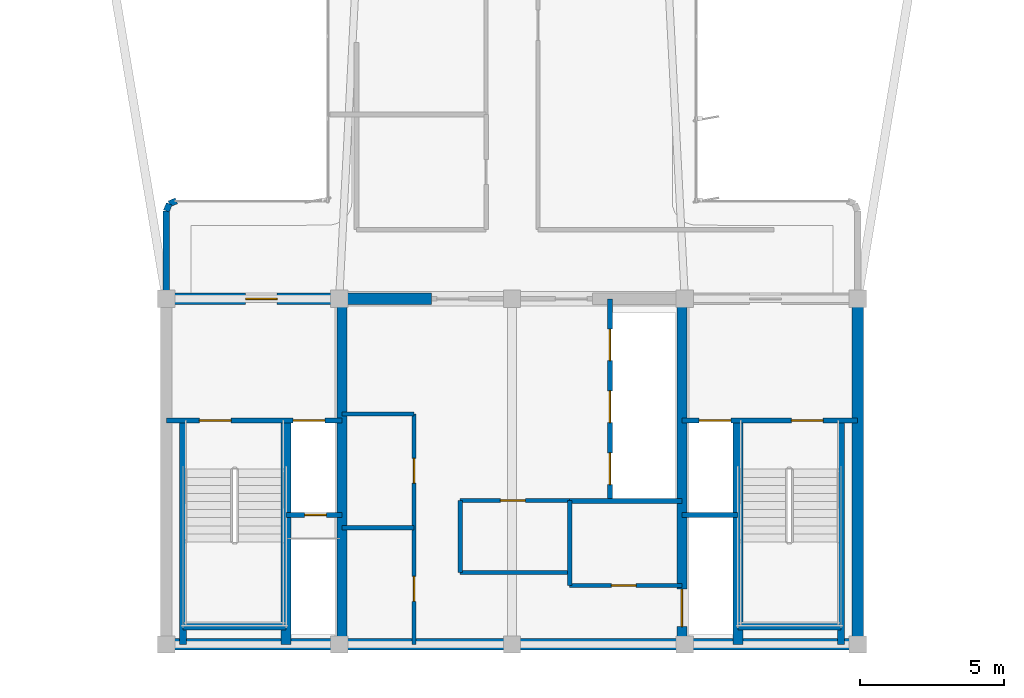
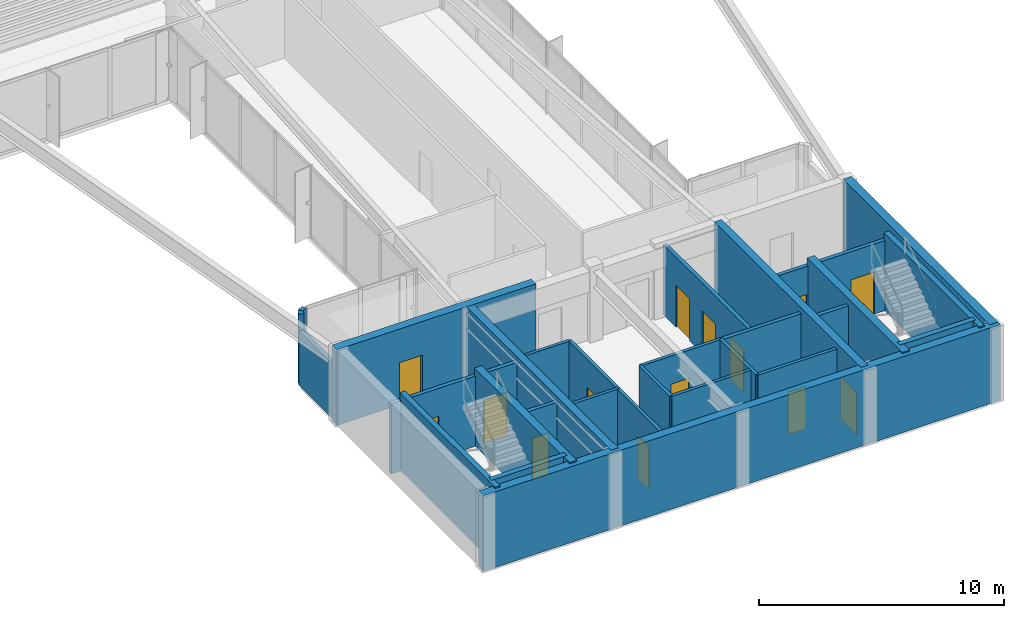
# One storey, part 10 of 15: 28 walls, 14 doors, 14 openings.
"""IFC4 building model written with IfcOpenShell, lengths in metres."""

import ifcopenshell
import ifcopenshell.guid

model = None  # the IFC model being written
_history = None  # IfcOwnerHistory: only IFC2X3 demands one
_inside = {}  # id of a spatial element -> (the spatial element, [elements in it])
_under = {}  # id of a project, library or spatial element -> (it, [spatial elements below it])
_declared = {}  # id of a project -> (the project, [libraries it declares])
_typed = {}  # id of a type object -> (the type object, [elements of that type])
_made_of = {}  # id of a material, layer set ... -> (it, [elements and type objects made of it])


def new_model(schema):
    """Start an empty IFC model of exactly this schema.

    Asked for "IFC4X3", IfcOpenShell would pick the latest addendum, in which some entities
    have other attributes; the version numbers below select the first issue.
    IFC2X3 requires an IfcOwnerHistory on every rooted entity: one is made here for all.
    """
    global model, _history
    if schema == "IFC4X3":
        model = ifcopenshell.file(schema_version=(4, 3, 0, 0))
    else:
        model = ifcopenshell.file(schema=schema)
    _inside.clear()
    _under.clear()
    _declared.clear()
    _typed.clear()
    _made_of.clear()
    _history = None
    if model.schema == "IFC2X3":
        org = make("IfcOrganization", Name="unknown")
        user = make(
            "IfcPersonAndOrganization",
            ThePerson=make("IfcPerson", FamilyName="unknown"),
            TheOrganization=org,
        )
        app = make(
            "IfcApplication",
            ApplicationDeveloper=org,
            Version="unknown",
            ApplicationFullName="unknown",
            ApplicationIdentifier="unknown",
        )
        _history = make(
            "IfcOwnerHistory",
            OwningUser=user,
            OwningApplication=app,
            ChangeAction="ADDED",
            CreationDate=0,
        )
    return model


def make(cls, **values):
    """One entity of the class cls with the attributes given. An attribute that is None is left unset."""
    return model.create_entity(
        cls, **{name: value for name, value in values.items() if value is not None}
    )


def rooted(cls, **values):
    """An entity with a GlobalId (a new one), such as an element, a storey or a relation."""
    return make(cls, GlobalId=ifcopenshell.guid.new(), OwnerHistory=_history, **values)


def si_unit(unit_type, name, prefix=None):
    """IfcSIUnit, for example si_unit("LENGTHUNIT", "METRE", prefix="MILLI")."""
    return make("IfcSIUnit", UnitType=unit_type, Prefix=prefix, Name=name)


def assignment(units):
    """IfcUnitAssignment: the units of a project."""
    return None if units is None else make("IfcUnitAssignment", Units=units)


def point(xyz):
    """IfcCartesianPoint."""
    return None if xyz is None else make("IfcCartesianPoint", Coordinates=xyz)


def direction(xyz):
    """IfcDirection."""
    return None if xyz is None else make("IfcDirection", DirectionRatios=xyz)


def frame(location, z_axis=None, x_axis=None):
    """IfcAxis2Placement3D, a coordinate frame: its origin and axes. An axis left out is left unset."""
    return make(
        "IfcAxis2Placement3D",
        Location=point(location),
        Axis=direction(z_axis),
        RefDirection=direction(x_axis),
    )


def frame_2d(location, x_axis=None):
    """IfcAxis2Placement2D, a coordinate frame in the plane: its origin and x axis."""
    return make(
        "IfcAxis2Placement2D", Location=point(location), RefDirection=direction(x_axis)
    )


def origin():
    """The frame at (0, 0, 0) with its axes left unset."""
    return frame((0.0, 0.0, 0.0))


def origin_2d():
    """The frame at (0, 0) in the plane with its x axis left unset."""
    return frame_2d((0.0, 0.0))


def place(relative_to, where):
    """IfcLocalPlacement: puts the frame where relative to a parent placement (None: the world)."""
    return make(
        "IfcLocalPlacement", PlacementRelTo=relative_to, RelativePlacement=where
    )


def context(
    kind, dimensions, precision=None, world=None, true_north=None, identifier=None
):
    """IfcGeometricRepresentationContext, for example the 3D "Model" context."""
    return make(
        "IfcGeometricRepresentationContext",
        ContextIdentifier=identifier,
        ContextType=kind,
        CoordinateSpaceDimension=dimensions,
        Precision=precision,
        WorldCoordinateSystem=world,
        TrueNorth=true_north,
    )


def subcontext(parent, identifier, kind, view, scale=None):
    """IfcGeometricRepresentationSubContext, for example "Body" below "Model"."""
    return make(
        "IfcGeometricRepresentationSubContext",
        ContextIdentifier=identifier,
        ContextType=kind,
        ParentContext=parent,
        TargetScale=scale,
        TargetView=view,
    )


def project(units=None, contexts=None):
    """IfcProject with its units and contexts."""
    return rooted(
        "IfcProject",
        Name="project",
        RepresentationContexts=contexts,
        UnitsInContext=assignment(units),
    )


def spatial(cls, under=None, at=None, **own):
    """A site, building, storey or space (cls), placed at a placement, below another one or the project."""
    s = rooted(cls, ObjectPlacement=at, **own)
    if under is not None:
        _under.setdefault(under.id(), (under, []))[1].append(s)
    return s


def profile(cls, at=None, kind="AREA", **sizes):
    """A parametric profile (cls). Its sizes go by their IFC names, for example OverallWidth=200.0."""
    return make(cls, ProfileType=kind, Position=at, **sizes)


def rectangle(**sizes):
    """IfcRectangleProfileDef."""
    return profile("IfcRectangleProfileDef", **sizes)


def extrude(swept, where, along, depth):
    """IfcExtrudedAreaSolid: the profile swept, set in the frame where, extruded along a direction by depth."""
    return make(
        "IfcExtrudedAreaSolid",
        SweptArea=swept,
        Position=where,
        ExtrudedDirection=direction(along),
        Depth=depth,
    )


def shape(context_of_items, identifier, shape_type, items):
    """IfcShapeRepresentation: the items that make up one representation, for example the "Body"."""
    return make(
        "IfcShapeRepresentation",
        ContextOfItems=context_of_items,
        RepresentationIdentifier=identifier,
        RepresentationType=shape_type,
        Items=items,
    )


def source(mapping_origin, context_of_items, identifier, shape_type, items):
    """IfcRepresentationMap: a shape defined once, which mapped items show again and again."""
    return make(
        "IfcRepresentationMap",
        MappingOrigin=mapping_origin,
        MappedRepresentation=shape(context_of_items, identifier, shape_type, items),
    )


def transform(
    local_origin,
    x_axis=None,
    y_axis=None,
    z_axis=None,
    scale=None,
    scale2=None,
    scale3=None,
    uniform=True,
):
    """IfcCartesianTransformationOperator3D, or its non-uniform kind. x_axis, y_axis, z_axis: its Axis1, 2, 3."""
    if uniform:
        return make(
            "IfcCartesianTransformationOperator3D",
            Axis1=direction(x_axis),
            Axis2=direction(y_axis),
            LocalOrigin=point(local_origin),
            Scale=scale,
            Axis3=direction(z_axis),
        )
    return make(
        "IfcCartesianTransformationOperator3DnonUniform",
        Axis1=direction(x_axis),
        Axis2=direction(y_axis),
        LocalOrigin=point(local_origin),
        Scale=scale,
        Axis3=direction(z_axis),
        Scale2=scale2,
        Scale3=scale3,
    )


def mapped(mapping_source, mapping_target):
    """IfcMappedItem: shows the shape of a source again, moved by a transform."""
    return make(
        "IfcMappedItem", MappingSource=mapping_source, MappingTarget=mapping_target
    )


def material(Name=None, Category=None):
    """IfcMaterial."""
    return make("IfcMaterial", Name=Name, Category=Category)


def layer(
    of_material, thickness, ventilated=None, Name=None, Category=None, Priority=None
):
    """IfcMaterialLayer: one layer of a wall or slab, of a material (None: an air gap)."""
    return make(
        "IfcMaterialLayer",
        Material=of_material,
        LayerThickness=thickness,
        IsVentilated=ventilated,
        Name=Name,
        Category=Category,
        Priority=Priority,
    )


def layer_set(layers, Name=None):
    """IfcMaterialLayerSet."""
    return make("IfcMaterialLayerSet", MaterialLayers=layers, LayerSetName=Name)


def made_of(thing, what):
    """Note that an element or type object is made of a material, layer set ...; save() writes the relation."""
    if what is not None:
        _made_of.setdefault(what.id(), (what, []))[1].append(thing)
    return thing


def type_object(cls, material=None, **own):
    """A type object (cls), such as IfcWallType, which elements share."""
    return made_of(rooted(cls, **own), material)


def element(
    cls,
    number,
    at=None,
    inside=None,
    cuts=None,
    type_object=None,
    material=None,
    context=None,
    identifier="Body",
    shape_type=None,
    held_by="IfcProductDefinitionShape",
    body=None,
    shapes=None,
    **own,
):
    """One element of the class cls, such as IfcWall. Its Tag is "e" and its number.

    at: its placement. inside: the storey or other place that contains it. cuts: it is an
    opening in that element (IfcRelVoidsElement). A single representation is given by context,
    identifier, shape_type and body (its items); several are given by shapes. held_by: the class
    of the entity that holds the representations. save() writes the other relations.
    """
    e = rooted(cls, Tag="e%d" % number, ObjectPlacement=at, **own)
    if body is not None:
        shapes = [shape(context, identifier, shape_type, body)]
    if shapes is not None:
        e.Representation = make(held_by, Representations=shapes)
    if inside is not None:
        _inside.setdefault(inside.id(), (inside, []))[1].append(e)
    if cuts is not None:
        rooted(
            "IfcRelVoidsElement", RelatingBuildingElement=cuts, RelatedOpeningElement=e
        )
    if type_object is not None:
        _typed.setdefault(type_object.id(), (type_object, []))[1].append(e)
    return made_of(e, material)


def fill(opening, filler):
    """IfcRelFillsElement: the door or window that sits in an opening."""
    return rooted(
        "IfcRelFillsElement",
        RelatingOpeningElement=opening,
        RelatedBuildingElement=filler,
    )


def aggregate(whole, parts):
    """IfcRelAggregates: a whole, such as a stair, and the parts it consists of."""
    return rooted("IfcRelAggregates", RelatingObject=whole, RelatedObjects=parts)


def save(model, path):
    """Write the relations noted so far, then the file.

    IfcRelAggregates (storeys below a building ...), IfcRelContainedInSpatialStructure (elements
    in a storey), IfcRelDefinesByType, IfcRelAssociatesMaterial and IfcRelDeclares: one each for
    every whole, place, type object, material and project.
    """
    for whole, parts in _under.values():
        aggregate(whole, parts)
    for where, things in _inside.values():
        rooted(
            "IfcRelContainedInSpatialStructure",
            RelatedElements=things,
            RelatingStructure=where,
        )
    for kind, things in _typed.values():
        rooted("IfcRelDefinesByType", RelatedObjects=things, RelatingType=kind)
    for what, things in _made_of.values():
        rooted("IfcRelAssociatesMaterial", RelatedObjects=things, RelatingMaterial=what)
    for by, libraries in _declared.values():
        rooted("IfcRelDeclares", RelatingContext=by, RelatedDefinitions=libraries)
    model.write(path)


model = new_model("IFC4")

# Units and contexts
model_context = context("Model", 3, precision=1e-05, world=origin(), true_north=direction((0.0, 1.0)))
body_context = subcontext(model_context, "Body", "Model", "MODEL_VIEW")
ifc_project = project(units=[si_unit("LENGTHUNIT", "METRE"), si_unit("AREAUNIT", "SQUARE_METRE"), si_unit("VOLUMEUNIT", "CUBIC_METRE"), si_unit("PLANEANGLEUNIT", "RADIAN"), si_unit("MASSUNIT", "GRAM", prefix="KILO")], contexts=[model_context])

# Site, building, storey
site_placement = place(None, origin())
site = spatial("IfcSite", under=ifc_project, at=site_placement, CompositionType="ELEMENT")
building_placement = place(site_placement, origin())
building = spatial("IfcBuilding", under=site, at=building_placement, Name="Brelvock Crest Care Tower", CompositionType="ELEMENT")
storey_placement = place(building_placement, frame((0.0, 0.0, 283.5)))
storey = spatial("IfcBuildingStorey", under=building, at=storey_placement, Name="L72", CompositionType="ELEMENT", Elevation=283.5)

# Walls
ifc_material_1 = material(Name="Concrete S65 (65 MPa)", Category="concrete")
ifc_layer_1 = layer(ifc_material_1, 0.39990234375, Name="WL-CS4")
ifc_layer_set_1 = layer_set([ifc_layer_1], Name="Concrete S65 (65 MPa)")
wall_type_1 = type_object("IfcWallType", Name="WL-CS4", PredefinedType="SHEAR", material=ifc_layer_set_1)
wall_1_placement = place(storey_placement, frame((48.199951171875, 6.0, 0.0), z_axis=(0.0, 0.0, 1.0), x_axis=(-1.0, 0.0, 0.0)))
element("IfcWall", 1, at=wall_1_placement, inside=storey, type_object=wall_type_1, Name="L72 Core South Shear Wall", PredefinedType="SHEAR", context=body_context, shape_type="SweptSolid", body=[
    extrude(rectangle(XDim=24.39990234375, YDim=0.39990234375, at=frame_2d((12.199951171875, 0.0))), origin(), (0.0, 0.0, 1.0), 3.780029296875),
])
wall_2_placement = place(storey_placement, frame((48.0, 18.0, 0.0), z_axis=(0.0, 0.0, 1.0), x_axis=(0.0, -1.0, 0.0)))
element("IfcWall", 2, at=wall_2_placement, inside=storey, type_object=wall_type_1, Name="L72 Core East Shear Wall", PredefinedType="SHEAR", context=body_context, shape_type="SweptSolid", body=[
    extrude(rectangle(XDim=12.0, YDim=0.39990234375, at=frame_2d((6.0, 0.0))), origin(), (0.0, 0.0, 1.0), 3.780029296875),
])

# Wall, opening, door
wall_3_placement = place(storey_placement, frame((23.800048828125, 18.0, 0.0), z_axis=(0.0, 0.0, 1.0), x_axis=(1.0, 0.0, 0.0)))
wall_3 = element("IfcWall", 3, at=wall_3_placement, inside=storey, type_object=wall_type_1, Name="L72 Core North-West Shear Wall", PredefinedType="SHEAR", context=body_context, shape_type="SweptSolid", body=[
    extrude(rectangle(XDim=9.39990234375, YDim=0.39990234375, at=frame_2d((4.699951171875, 0.0))), origin(), (0.0, 0.0, 1.0), 3.780029296875),
])
opening_1_placement = place(wall_3_placement, frame((2.949951171875, 0.0, 0.0)))
opening_1 = element("IfcOpeningElement", 4, at=opening_1_placement, cuts=wall_3, Name="Opening FD-1", PredefinedType="OPENING", context=body_context, shape_type="SweptSolid", body=[
    extrude(rectangle(XDim=1.10009765625, YDim=2.10009765625, at=origin_2d()), frame((0.550048828125, 0.2099609375, 1.050048828125), z_axis=(0.0, -1.0, 0.0), x_axis=(1.0, 0.0, 0.0)), (0.0, 0.0, 1.0), 0.419921875),
])
ifc_material_2 = material(Name="Steel Grade 350", Category="steel")
door_type_1 = type_object("IfcDoorType", Name="DR-FFL1", OperationType="NOTDEFINED", PredefinedType="DOOR", material=ifc_material_2)
shared_shape_1 = source(origin(), body_context, "Body", "SweptSolid", [
    extrude(rectangle(XDim=1.10009765625, YDim=2.10009765625, at=origin_2d()), frame((0.550048828125, 0.02490234375, 1.050048828125), z_axis=(0.0, -1.0, 0.0), x_axis=(1.0, 0.0, 0.0)), (0.0, 0.0, 1.0), 0.050048828125),
])
door_1_placement = place(opening_1_placement, origin())
door_1 = element("IfcDoor", 5, at=door_1_placement, inside=storey, type_object=door_type_1, Name="L72 Firefighting Lobby FFL-1 Exit Door", OperationType="SINGLE_SWING_LEFT", OverallHeight=2.10009765625, OverallWidth=1.10009765625, PredefinedType="DOOR", context=body_context, shape_type="MappedRepresentation", body=[
    mapped(shared_shape_1, transform((0.0, 0.0, 0.0), x_axis=(1.0, 0.0, 0.0), y_axis=(0.0, 1.0, 0.0), z_axis=(0.0, 0.0, 1.0), scale=1.0)),
])
fill(opening_1, door_1)

# Wall
ifc_material_3 = material(Name="Concrete S80 (80 MPa)", Category="concrete")
ifc_layer_2 = layer(ifc_material_3, 0.35009765625, Name="WL-CS5")
ifc_layer_set_2 = layer_set([ifc_layer_2], Name="Concrete S80 (80 MPa)")
wall_type_2 = type_object("IfcWallType", Name="WL-CS5", PredefinedType="SHEAR", material=ifc_layer_set_2)
wall_4_placement = place(storey_placement, frame((30.10009765625, 6.0, 0.0), z_axis=(0.0, 0.0, 1.0), x_axis=(0.0, 1.0, 0.0)))
element("IfcWall", 6, at=wall_4_placement, inside=storey, type_object=wall_type_2, Name="L72 Core Internal Web Wall West", PredefinedType="SHEAR", context=body_context, shape_type="SweptSolid", body=[
    extrude(rectangle(XDim=12.0, YDim=0.35009765625, at=frame_2d((6.0, 0.0))), origin(), (0.0, 0.0, 1.0), 3.780029296875),
])

# Wall, opening, door
wall_5_placement = place(storey_placement, frame((41.89990234375, 18.0, 0.0), z_axis=(0.0, 0.0, 1.0), x_axis=(0.0, -1.0, 0.0)))
wall_5 = element("IfcWall", 7, at=wall_5_placement, inside=storey, type_object=wall_type_2, Name="L72 Core Internal Web Wall East", PredefinedType="SHEAR", context=body_context, shape_type="SweptSolid", body=[
    extrude(rectangle(XDim=12.0, YDim=0.35009765625, at=frame_2d((6.0, 0.0))), origin(), (0.0, 0.0, 1.0), 3.780029296875),
])
opening_2_placement = place(wall_5_placement, frame((10.080078125, 0.0, 0.0)))
opening_2 = element("IfcOpeningElement", 8, at=opening_2_placement, cuts=wall_5, Name="Opening LD-S", PredefinedType="OPENING", context=body_context, shape_type="SweptSolid", body=[
    extrude(rectangle(XDim=1.300048828125, YDim=2.10009765625, at=origin_2d()), frame((0.64990234375, 0.18505859375, 1.050048828125), z_axis=(0.0, -1.0, 0.0), x_axis=(1.0, 0.0, 0.0)), (0.0, 0.0, 1.0), 0.3701171875),
])
door_type_2 = type_object("IfcDoorType", Name="DR-LDS1", OperationType="NOTDEFINED", PredefinedType="DOOR", material=ifc_material_2)
shared_shape_2 = source(origin(), body_context, "Body", "SweptSolid", [
    extrude(rectangle(XDim=1.300048828125, YDim=2.10009765625, at=origin_2d()), frame((0.64990234375, 0.02490234375, 1.050048828125), z_axis=(0.0, -1.0, 0.0), x_axis=(1.0, 0.0, 0.0)), (0.0, 0.0, 1.0), 0.050048828125),
])
door_2_placement = place(opening_2_placement, origin())
door_2 = element("IfcDoor", 9, at=door_2_placement, inside=storey, type_object=door_type_2, Name="L72 Clinical Bed Lift SL-1 Landing Door", OperationType="SLIDING_TO_LEFT", OverallHeight=2.10009765625, OverallWidth=1.300048828125, PredefinedType="DOOR", context=body_context, shape_type="MappedRepresentation", body=[
    mapped(shared_shape_2, transform((0.0, 0.0, 0.0), x_axis=(1.0, 0.0, 0.0), y_axis=(0.0, 1.0, 0.0), z_axis=(0.0, 0.0, 1.0), scale=1.0)),
])
fill(opening_2, door_2)

# Walls
for number, where, z_axis, x_axis, name in (
    (10, (28.14990234375, 6.0, 0.0), (0.0, 0.0, 1.0), (0.0, 1.0, 0.0), "L72 Core Stair ST-1 East Shear Wall"),
    (11, (43.85009765625, 6.0, 0.0), (0.0, 0.0, 1.0), (0.0, 1.0, 0.0), "L72 Core Stair ST-2 West Shear Wall"),
):
    element("IfcWall", number, at=place(storey_placement, frame(where, z_axis=z_axis, x_axis=x_axis)), inside=storey, type_object=wall_type_2, Name=name, PredefinedType="SHEAR", context=body_context, shape_type="SweptSolid", body=[
        extrude(rectangle(XDim=7.780029296875, YDim=0.35009765625, at=frame_2d((3.89013671875, 0.0))), origin(), (0.0, 0.0, 1.0), 3.85009765625),
    ])
ifc_layer_3 = layer(ifc_material_3, 0.25, Name="WL-CS6")
ifc_layer_set_3 = layer_set([ifc_layer_3], Name="Concrete S80 (80 MPa)")
wall_type_3 = type_object("IfcWallType", Name="WL-CS6", PredefinedType="SHEAR", material=ifc_layer_set_3)
wall_6_placement = place(storey_placement, frame((24.580078125, 6.0, 0.0), z_axis=(0.0, 0.0, 1.0), x_axis=(0.0, 1.0, 0.0)))
element("IfcWall", 12, at=wall_6_placement, inside=storey, type_object=wall_type_3, Name="L72 Core Stair ST-1 West Shear Wall", PredefinedType="SHEAR", context=body_context, shape_type="SweptSolid", body=[
    extrude(rectangle(XDim=7.780029296875, YDim=0.25, at=frame_2d((3.89013671875, 0.0))), origin(), (0.0, 0.0, 1.0), 3.85009765625),
])
wall_7_placement = place(storey_placement, frame((24.580078125, 6.6201171875, 0.0), z_axis=(0.0, 0.0, 1.0), x_axis=(1.0, 0.0, 0.0)))
element("IfcWall", 13, at=wall_7_placement, inside=storey, type_object=wall_type_3, Name="L72 Core Stair ST-1 South Shear Wall", PredefinedType="SHEAR", context=body_context, shape_type="SweptSolid", body=[
    extrude(rectangle(XDim=3.56982421875, YDim=0.25, at=frame_2d((1.784912109375, 0.0))), origin(), (0.0, 0.0, 1.0), 3.85009765625),
])
wall_8_placement = place(storey_placement, frame((47.419921875, 6.0, 0.0), z_axis=(0.0, 0.0, 1.0), x_axis=(0.0, 1.0, 0.0)))
element("IfcWall", 14, at=wall_8_placement, inside=storey, type_object=wall_type_3, Name="L72 Core Stair ST-2 East Shear Wall", PredefinedType="SHEAR", context=body_context, shape_type="SweptSolid", body=[
    extrude(rectangle(XDim=7.780029296875, YDim=0.25, at=frame_2d((3.89013671875, 0.0))), origin(), (0.0, 0.0, 1.0), 3.85009765625),
])
wall_9_placement = place(storey_placement, frame((43.85009765625, 6.6201171875, 0.0), z_axis=(0.0, 0.0, 1.0), x_axis=(1.0, 0.0, 0.0)))
element("IfcWall", 15, at=wall_9_placement, inside=storey, type_object=wall_type_3, Name="L72 Core Stair ST-2 South Shear Wall", PredefinedType="SHEAR", context=body_context, shape_type="SweptSolid", body=[
    extrude(rectangle(XDim=3.56982421875, YDim=0.25, at=frame_2d((1.784912109375, 0.0))), origin(), (0.0, 0.0, 1.0), 3.85009765625),
])
ifc_material_4 = material(Name="Precast concrete N40 (40 MPa)", Category="concrete")
ifc_layer_4 = layer(ifc_material_4, 0.215087890625, Name="WL-EX2")
ifc_layer_set_4 = layer_set([ifc_layer_4], Name="Precast concrete N40 (40 MPa)")
wall_type_4 = type_object("IfcWallType", Name="WL-EX2", PredefinedType="SOLIDWALL", material=ifc_layer_set_4)
wall_10_placement = place(storey_placement, frame((24.0, 18.280029296875, 0.0), z_axis=(0.0, 0.0, 1.0), x_axis=(0.0, 1.0, 0.0)))
element("IfcWall", 16, at=wall_10_placement, inside=storey, type_object=wall_type_4, Name="L72 Rounded Corner Wall 07", PredefinedType="SOLIDWALL", context=body_context, shape_type="SweptSolid", body=[
    extrude(rectangle(XDim=2.77001953125, YDim=0.215087890625, at=frame_2d((1.385009765625, 0.0))), origin(), (0.0, 0.0, 1.0), 2.718017578125),
])
wall_11_placement = place(storey_placement, frame((24.0, 21.050048828125, 0.0), z_axis=(0.0, 0.0, 1.0), x_axis=(0.382673670509, 0.923883575944, 0.0)))
element("IfcWall", 17, at=wall_11_placement, inside=storey, type_object=wall_type_4, Name="L72 Rounded Corner Wall 08", PredefinedType="SOLIDWALL", context=body_context, shape_type="SweptSolid", body=[
    extrude(rectangle(XDim=0.26806640625, YDim=0.215087890625, at=frame_2d((0.134033203125, 0.0))), origin(), (0.0, 0.0, 1.0), 3.530029296875),
])
wall_12_placement = place(storey_placement, frame((24.1025390625, 21.297607421875, 0.0), z_axis=(0.0, 0.0, 1.0), x_axis=(0.924205486139, 0.381895560841, 0.0)))
element("IfcWall", 18, at=wall_12_placement, inside=storey, type_object=wall_type_4, Name="L72 Rounded Corner Wall 09", PredefinedType="SOLIDWALL", context=body_context, shape_type="SweptSolid", body=[
    extrude(rectangle(XDim=0.267822265625, YDim=0.215087890625, at=frame_2d((0.1337890625, 0.0))), origin(), (0.0, 0.0, 1.0), 3.530029296875),
])
ifc_material_5 = material(Name="Masonry Blockwork Acoustic Partition", Category="masonry")
ifc_layer_5 = layer(ifc_material_5, 0.14990234375, Name="WL-INT1")
ifc_layer_set_5 = layer_set([ifc_layer_5], Name="Masonry Blockwork Acoustic Partition")
wall_type_5 = type_object("IfcWallType", Name="WL-INT1", PredefinedType="PARTITIONING", material=ifc_layer_set_5)
wall_13_placement = place(storey_placement, frame((30.10009765625, 14.0, 0.0), z_axis=(0.0, 0.0, 1.0), x_axis=(1.0, 0.0, 0.0)))
element("IfcWall", 19, at=wall_13_placement, inside=storey, type_object=wall_type_5, Name="L72 Interior Wall WL-CRCL-N1-L72", PredefinedType="PARTITIONING", context=body_context, shape_type="SweptSolid", body=[
    extrude(rectangle(XDim=2.5, YDim=0.14990234375, at=frame_2d((1.25, 0.0))), origin(), (0.0, 0.0, 1.0), 3.5),
])
wall_14_placement = place(storey_placement, frame((34.199951171875, 8.5, 0.0), z_axis=(0.0, 0.0, 1.0), x_axis=(1.0, 0.0, 0.0)))
element("IfcWall", 20, at=wall_14_placement, inside=storey, type_object=wall_type_5, Name="L72 Interior Wall WL-CRCM-SW-L72", PredefinedType="PARTITIONING", context=body_context, shape_type="SweptSolid", body=[
    extrude(rectangle(XDim=3.800048828125, YDim=0.14990234375, at=frame_2d((1.89990234375, 0.0))), origin(), (0.0, 0.0, 1.0), 3.5),
])

# Wall, opening, door
wall_15_placement = place(storey_placement, frame((38.0, 8.050048828125, 0.0), z_axis=(0.0, 0.0, 1.0), x_axis=(1.0, 0.0, 0.0)))
wall_15 = element("IfcWall", 21, at=wall_15_placement, inside=storey, type_object=wall_type_5, Name="L72 Interior Wall WL-CRCM-SE-L72", PredefinedType="PARTITIONING", context=body_context, shape_type="SweptSolid", body=[
    extrude(rectangle(XDim=3.89990234375, YDim=0.14990234375, at=frame_2d((1.949951171875, 0.0))), origin(), (0.0, 0.0, 1.0), 3.5),
])
opening_3_placement = place(wall_15_placement, frame((1.449951171875, 0.0, 0.0)))
opening_3 = element("IfcOpeningElement", 22, at=opening_3_placement, cuts=wall_15, Name="Opening ID-1", PredefinedType="OPENING", context=body_context, shape_type="SweptSolid", body=[
    extrude(rectangle(XDim=0.860107421875, YDim=2.10009765625, at=origin_2d()), frame((0.43017578125, 0.0849609375, 1.050048828125), z_axis=(0.0, -1.0, 0.0), x_axis=(1.0, 0.0, 0.0)), (0.0, 0.0, 1.0), 0.169921875),
])
ifc_material_6 = material(Name="Engineered Hardwood Timber", Category="wood")
door_type_3 = type_object("IfcDoorType", Name="DR-INT1", OperationType="NOTDEFINED", PredefinedType="DOOR", material=ifc_material_6)
shared_shape_3 = source(origin(), body_context, "Body", "SweptSolid", [
    extrude(rectangle(XDim=0.860107421875, YDim=2.10009765625, at=origin_2d()), frame((0.43017578125, 0.02490234375, 1.050048828125), z_axis=(0.0, -1.0, 0.0), x_axis=(1.0, 0.0, 0.0)), (0.0, 0.0, 1.0), 0.050048828125),
])
door_3_placement = place(opening_3_placement, origin())
door_3 = element("IfcDoor", 23, at=door_3_placement, inside=storey, type_object=door_type_3, Name="DR-CRCM2-L72", OperationType="SINGLE_SWING_LEFT", OverallHeight=2.10009765625, OverallWidth=0.860107421875, PredefinedType="DOOR", context=body_context, shape_type="MappedRepresentation", body=[
    mapped(shared_shape_3, transform((0.0, 0.0, 0.0), x_axis=(1.0, 0.0, 0.0), y_axis=(0.0, 1.0, 0.0), z_axis=(0.0, 0.0, 1.0), scale=1.0)),
])
fill(opening_3, door_3)

# Walls
wall_16_placement = place(storey_placement, frame((34.199951171875, 8.5, 0.0), z_axis=(0.0, 0.0, 1.0), x_axis=(0.0, 1.0, 0.0)))
element("IfcWall", 24, at=wall_16_placement, inside=storey, type_object=wall_type_5, Name="L72 Interior Wall WL-CRCM-W-L72", PredefinedType="PARTITIONING", context=body_context, shape_type="SweptSolid", body=[
    extrude(rectangle(XDim=2.5, YDim=0.14990234375, at=frame_2d((1.25, 0.0))), origin(), (0.0, 0.0, 1.0), 3.5),
])
wall_17_placement = place(storey_placement, frame((38.0, 8.050048828125, 0.0), z_axis=(0.0, 0.0, 1.0), x_axis=(0.0, 1.0, 0.0)))
element("IfcWall", 25, at=wall_17_placement, inside=storey, type_object=wall_type_5, Name="L72 Interior Wall WL-CRCM-V-L72", PredefinedType="PARTITIONING", context=body_context, shape_type="SweptSolid", body=[
    extrude(rectangle(XDim=2.949951171875, YDim=0.14990234375, at=frame_2d((1.47509765625, 0.0))), origin(), (0.0, 0.0, 1.0), 3.5),
])

# Wall, opening, door
wall_18_placement = place(storey_placement, frame((34.199951171875, 11.0, 0.0), z_axis=(0.0, 0.0, 1.0), x_axis=(1.0, 0.0, 0.0)))
wall_18 = element("IfcWall", 26, at=wall_18_placement, inside=storey, type_object=wall_type_5, Name="L72 Interior Wall WL-CRCM-NW-L72", PredefinedType="PARTITIONING", context=body_context, shape_type="SweptSolid", body=[
    extrude(rectangle(XDim=3.800048828125, YDim=0.14990234375, at=frame_2d((1.89990234375, 0.0))), origin(), (0.0, 0.0, 1.0), 3.5),
])
opening_4_placement = place(wall_18_placement, frame((1.39990234375, 0.0, 0.0)))
opening_4 = element("IfcOpeningElement", 27, at=opening_4_placement, cuts=wall_18, Name="Opening ID-1", PredefinedType="OPENING", context=body_context, shape_type="SweptSolid", body=[
    extrude(rectangle(XDim=0.860107421875, YDim=2.10009765625, at=origin_2d()), frame((0.43017578125, 0.0849609375, 1.050048828125), z_axis=(0.0, -1.0, 0.0), x_axis=(1.0, 0.0, 0.0)), (0.0, 0.0, 1.0), 0.169921875),
])
door_4_placement = place(opening_4_placement, origin())
door_4 = element("IfcDoor", 28, at=door_4_placement, inside=storey, type_object=door_type_3, Name="DR-CRCM1-L72", OperationType="SINGLE_SWING_LEFT", OverallHeight=2.10009765625, OverallWidth=0.860107421875, PredefinedType="DOOR", context=body_context, shape_type="MappedRepresentation", body=[
    mapped(shared_shape_3, transform((0.0, 0.0, 0.0), x_axis=(1.0, 0.0, 0.0), y_axis=(0.0, 1.0, 0.0), z_axis=(0.0, 0.0, 1.0), scale=1.0)),
])
fill(opening_4, door_4)

# Wall
wall_19_placement = place(storey_placement, frame((30.10009765625, 10.050048828125, 0.0), z_axis=(0.0, 0.0, 1.0), x_axis=(1.0, 0.0, 0.0)))
element("IfcWall", 29, at=wall_19_placement, inside=storey, type_object=wall_type_5, Name="L72 Interior Wall WL-CSBW-S1-L72", PredefinedType="PARTITIONING", context=body_context, shape_type="SweptSolid", body=[
    extrude(rectangle(XDim=2.5, YDim=0.14990234375, at=frame_2d((1.25, 0.0))), origin(), (0.0, 0.0, 1.0), 3.5),
])

# Wall, openings, doors
wall_20_placement = place(storey_placement, frame((32.60009765625, 6.0, 0.0), z_axis=(0.0, 0.0, 1.0), x_axis=(0.0, 1.0, 0.0)))
wall_20 = element("IfcWall", 30, at=wall_20_placement, inside=storey, type_object=wall_type_5, Name="L72 Interior Wall WL-CRCL-E-L72", PredefinedType="PARTITIONING", context=body_context, shape_type="SweptSolid", body=[
    extrude(rectangle(XDim=8.0, YDim=0.14990234375, at=frame_2d((4.0, 0.0))), origin(), (0.0, 0.0, 1.0), 3.5),
])
opening_5_placement = place(wall_20_placement, frame((1.5, 0.0, 0.0)))
opening_5 = element("IfcOpeningElement", 31, at=opening_5_placement, cuts=wall_20, Name="Opening ID-1", PredefinedType="OPENING", context=body_context, shape_type="SweptSolid", body=[
    extrude(rectangle(XDim=0.860107421875, YDim=2.10009765625, at=origin_2d()), frame((0.43017578125, 0.0849609375, 1.050048828125), z_axis=(0.0, -1.0, 0.0), x_axis=(1.0, 0.0, 0.0)), (0.0, 0.0, 1.0), 0.169921875),
])
opening_6_placement = place(wall_20_placement, frame((5.60009765625, 0.0, 0.0)))
opening_6 = element("IfcOpeningElement", 32, at=opening_6_placement, cuts=wall_20, Name="Opening ID-1", PredefinedType="OPENING", context=body_context, shape_type="SweptSolid", body=[
    extrude(rectangle(XDim=0.860107421875, YDim=2.10009765625, at=origin_2d()), frame((0.43017578125, 0.0849609375, 1.050048828125), z_axis=(0.0, -1.0, 0.0), x_axis=(1.0, 0.0, 0.0)), (0.0, 0.0, 1.0), 0.169921875),
])
door_5_placement = place(opening_5_placement, origin())
door_5 = element("IfcDoor", 33, at=door_5_placement, inside=storey, type_object=door_type_3, Name="DR-CSBW-L72", OperationType="SINGLE_SWING_LEFT", OverallHeight=2.10009765625, OverallWidth=0.860107421875, PredefinedType="DOOR", context=body_context, shape_type="MappedRepresentation", body=[
    mapped(shared_shape_3, transform((0.0, 0.0, 0.0), x_axis=(1.0, 0.0, 0.0), y_axis=(0.0, 1.0, 0.0), z_axis=(0.0, 0.0, 1.0), scale=1.0)),
])
fill(opening_5, door_5)
door_6_placement = place(opening_6_placement, origin())
door_6 = element("IfcDoor", 34, at=door_6_placement, inside=storey, type_object=door_type_3, Name="DR-CRCL1-L72", OperationType="SINGLE_SWING_LEFT", OverallHeight=2.10009765625, OverallWidth=0.860107421875, PredefinedType="DOOR", context=body_context, shape_type="MappedRepresentation", body=[
    mapped(shared_shape_3, transform((0.0, 0.0, 0.0), x_axis=(1.0, 0.0, 0.0), y_axis=(0.0, 1.0, 0.0), z_axis=(0.0, 0.0, 1.0), scale=1.0)),
])
fill(opening_6, door_6)

# Wall
ifc_layer_6 = layer(ifc_material_5, 0.179931640625, Name="WL-SHF1")
ifc_layer_set_6 = layer_set([ifc_layer_6], Name="Masonry Blockwork Acoustic Partition")
wall_type_6 = type_object("IfcWallType", Name="WL-SHF1", PredefinedType="PARTITIONING", material=ifc_layer_set_6)
wall_21_placement = place(storey_placement, frame((38.0, 10.97998046875, 0.0), z_axis=(0.0, 0.0, 1.0), x_axis=(1.0, 0.0, 0.0)))
element("IfcWall", 35, at=wall_21_placement, inside=storey, type_object=wall_type_6, Name="L72 Interior Wall WL-CRCM-NE-L72", PredefinedType="PARTITIONING", context=body_context, shape_type="SweptSolid", body=[
    extrude(rectangle(XDim=3.89990234375, YDim=0.179931640625, at=frame_2d((1.949951171875, 0.0))), origin(), (0.0, 0.0, 1.0), 3.5),
])

# Wall, openings, doors
wall_22_placement = place(storey_placement, frame((24.0, 13.780029296875, 0.0), z_axis=(0.0, 0.0, 1.0), x_axis=(1.0, 0.0, 0.0)))
wall_22 = element("IfcWall", 36, at=wall_22_placement, inside=storey, type_object=wall_type_6, Name="L72 Interior Wall WL-ST1-N-L72", PredefinedType="PARTITIONING", context=body_context, shape_type="SweptSolid", body=[
    extrude(rectangle(XDim=6.10009765625, YDim=0.179931640625, at=frame_2d((3.050048828125, 0.0))), origin(), (0.0, 0.0, 1.0), 3.5),
])
opening_7_placement = place(wall_22_placement, frame((1.14990234375, 0.0, 0.0)))
opening_7 = element("IfcOpeningElement", 37, at=opening_7_placement, cuts=wall_22, Name="Opening SD-1", PredefinedType="OPENING", context=body_context, shape_type="SweptSolid", body=[
    extrude(rectangle(XDim=1.10009765625, YDim=2.10009765625, at=origin_2d()), frame((0.550048828125, 0.10009765625, 1.050048828125), z_axis=(0.0, -1.0, 0.0), x_axis=(1.0, 0.0, 0.0)), (0.0, 0.0, 1.0), 0.199951171875),
])
opening_8_placement = place(wall_22_placement, frame((4.39990234375, 0.0, 0.0)))
opening_8 = element("IfcOpeningElement", 38, at=opening_8_placement, cuts=wall_22, Name="Opening LD", PredefinedType="OPENING", context=body_context, shape_type="SweptSolid", body=[
    extrude(rectangle(XDim=1.10009765625, YDim=2.10009765625, at=origin_2d()), frame((0.550048828125, 0.10009765625, 1.050048828125), z_axis=(0.0, -1.0, 0.0), x_axis=(1.0, 0.0, 0.0)), (0.0, 0.0, 1.0), 0.199951171875),
])
door_type_4 = type_object("IfcDoorType", Name="DR-ST1", OperationType="NOTDEFINED", PredefinedType="DOOR", material=ifc_material_2)
shared_shape_4 = source(origin(), body_context, "Body", "SweptSolid", [
    extrude(rectangle(XDim=1.10009765625, YDim=2.10009765625, at=origin_2d()), frame((0.550048828125, 0.02490234375, 1.050048828125), z_axis=(0.0, -1.0, 0.0), x_axis=(1.0, 0.0, 0.0)), (0.0, 0.0, 1.0), 0.050048828125),
])
door_7_placement = place(opening_7_placement, origin())
door_7 = element("IfcDoor", 39, at=door_7_placement, inside=storey, type_object=door_type_4, Name="L72 Fire Stair ST-1 Door", OperationType="SINGLE_SWING_LEFT", OverallHeight=2.10009765625, OverallWidth=1.10009765625, PredefinedType="DOOR", context=body_context, shape_type="MappedRepresentation", body=[
    mapped(shared_shape_4, transform((0.0, 0.0, 0.0), x_axis=(1.0, 0.0, 0.0), y_axis=(0.0, 1.0, 0.0), z_axis=(0.0, 0.0, 1.0), scale=1.0)),
])
fill(opening_7, door_7)
door_type_5 = type_object("IfcDoorType", Name="DR-LD1", OperationType="NOTDEFINED", PredefinedType="DOOR", material=ifc_material_2)
shared_shape_5 = source(origin(), body_context, "Body", "SweptSolid", [
    extrude(rectangle(XDim=1.10009765625, YDim=2.10009765625, at=origin_2d()), frame((0.550048828125, 0.02490234375, 1.050048828125), z_axis=(0.0, -1.0, 0.0), x_axis=(1.0, 0.0, 0.0)), (0.0, 0.0, 1.0), 0.050048828125),
])
door_8_placement = place(opening_8_placement, origin())
door_8 = element("IfcDoor", 40, at=door_8_placement, inside=storey, type_object=door_type_5, Name="L72 Firefighting Lift FFL-1 Landing Door", OperationType="SLIDING_TO_LEFT", OverallHeight=2.10009765625, OverallWidth=1.10009765625, PredefinedType="DOOR", context=body_context, shape_type="MappedRepresentation", body=[
    mapped(shared_shape_5, transform((0.0, 0.0, 0.0), x_axis=(1.0, 0.0, 0.0), y_axis=(0.0, 1.0, 0.0), z_axis=(0.0, 0.0, 1.0), scale=1.0)),
])
fill(opening_8, door_8)

# Wall, opening, door
wall_23_placement = place(storey_placement, frame((28.14990234375, 10.5, 0.0), z_axis=(0.0, 0.0, 1.0), x_axis=(1.0, 0.0, 0.0)))
wall_23 = element("IfcWall", 41, at=wall_23_placement, inside=storey, type_object=wall_type_6, Name="L72 Interior Wall WL-FFH1-S-L72", PredefinedType="PARTITIONING", context=body_context, shape_type="SweptSolid", body=[
    extrude(rectangle(XDim=1.9501953125, YDim=0.179931640625, at=frame_2d((0.97509765625, 0.0))), origin(), (0.0, 0.0, 1.0), 3.5),
])
opening_9_placement = place(wall_23_placement, frame((0.64990234375, 0.0, 0.0)))
opening_9 = element("IfcOpeningElement", 42, at=opening_9_placement, cuts=wall_23, Name="Opening RD-1", PredefinedType="OPENING", context=body_context, shape_type="SweptSolid", body=[
    extrude(rectangle(XDim=0.760009765625, YDim=2.050048828125, at=origin_2d()), frame((0.3798828125, 0.10009765625, 1.02490234375), z_axis=(0.0, -1.0, 0.0), x_axis=(1.0, 0.0, 0.0)), (0.0, 0.0, 1.0), 0.199951171875),
])
door_type_6 = type_object("IfcDoorType", Name="DR-RIS1", OperationType="NOTDEFINED", PredefinedType="DOOR", material=ifc_material_2)
shared_shape_6 = source(origin(), body_context, "Body", "SweptSolid", [
    extrude(rectangle(XDim=0.760009765625, YDim=2.050048828125, at=origin_2d()), frame((0.3798828125, 0.02490234375, 1.02490234375), z_axis=(0.0, -1.0, 0.0), x_axis=(1.0, 0.0, 0.0)), (0.0, 0.0, 1.0), 0.050048828125),
])
door_9_placement = place(opening_9_placement, origin())
door_9 = element("IfcDoor", 43, at=door_9_placement, inside=storey, type_object=door_type_6, Name="L72 Wet Fire Riser Access Door", OperationType="SINGLE_SWING_LEFT", OverallHeight=2.050048828125, OverallWidth=0.760009765625, PredefinedType="DOOR", context=body_context, shape_type="MappedRepresentation", body=[
    mapped(shared_shape_6, transform((0.0, 0.0, 0.0), x_axis=(1.0, 0.0, 0.0), y_axis=(0.0, 1.0, 0.0), z_axis=(0.0, 0.0, 1.0), scale=1.0)),
])
fill(opening_9, door_9)

# Wall, openings, doors
wall_24_placement = place(storey_placement, frame((41.89990234375, 13.780029296875, 0.0), z_axis=(0.0, 0.0, 1.0), x_axis=(1.0, 0.0, 0.0)))
wall_24 = element("IfcWall", 44, at=wall_24_placement, inside=storey, type_object=wall_type_6, Name="L72 Interior Wall WL-ST2-N-L72", PredefinedType="PARTITIONING", context=body_context, shape_type="SweptSolid", body=[
    extrude(rectangle(XDim=6.10009765625, YDim=0.179931640625, at=frame_2d((3.050048828125, 0.0))), origin(), (0.0, 0.0, 1.0), 3.5),
])
opening_10_placement = place(wall_24_placement, frame((0.60009765625, 0.0, 0.0)))
opening_10 = element("IfcOpeningElement", 45, at=opening_10_placement, cuts=wall_24, Name="Opening LD", PredefinedType="OPENING", context=body_context, shape_type="SweptSolid", body=[
    extrude(rectangle(XDim=1.10009765625, YDim=2.10009765625, at=origin_2d()), frame((0.550048828125, 0.10009765625, 1.050048828125), z_axis=(0.0, -1.0, 0.0), x_axis=(1.0, 0.0, 0.0)), (0.0, 0.0, 1.0), 0.199951171875),
])
opening_11_placement = place(wall_24_placement, frame((3.800048828125, 0.0, 0.0)))
opening_11 = element("IfcOpeningElement", 46, at=opening_11_placement, cuts=wall_24, Name="Opening SD-1", PredefinedType="OPENING", context=body_context, shape_type="SweptSolid", body=[
    extrude(rectangle(XDim=1.10009765625, YDim=2.10009765625, at=origin_2d()), frame((0.550048828125, 0.10009765625, 1.050048828125), z_axis=(0.0, -1.0, 0.0), x_axis=(1.0, 0.0, 0.0)), (0.0, 0.0, 1.0), 0.199951171875),
])
door_10_placement = place(opening_11_placement, origin())
door_10 = element("IfcDoor", 47, at=door_10_placement, inside=storey, type_object=door_type_4, Name="L72 Fire Stair ST-2 Door", OperationType="SINGLE_SWING_RIGHT", OverallHeight=2.10009765625, OverallWidth=1.10009765625, PredefinedType="DOOR", context=body_context, shape_type="MappedRepresentation", body=[
    mapped(shared_shape_4, transform((0.0, 0.0, 0.0), x_axis=(1.0, 0.0, 0.0), y_axis=(0.0, 1.0, 0.0), z_axis=(0.0, 0.0, 1.0), scale=1.0)),
])
fill(opening_11, door_10)
door_11_placement = place(opening_10_placement, origin())
door_11 = element("IfcDoor", 48, at=door_11_placement, inside=storey, type_object=door_type_5, Name="L72 Firefighting Lift FFL-2 Landing Door", OperationType="SLIDING_TO_RIGHT", OverallHeight=2.10009765625, OverallWidth=1.10009765625, PredefinedType="DOOR", context=body_context, shape_type="MappedRepresentation", body=[
    mapped(shared_shape_5, transform((0.0, 0.0, 0.0), x_axis=(1.0, 0.0, 0.0), y_axis=(0.0, 1.0, 0.0), z_axis=(0.0, 0.0, 1.0), scale=1.0)),
])
fill(opening_10, door_11)

# Wall
wall_25_placement = place(storey_placement, frame((41.89990234375, 10.5, 0.0), z_axis=(0.0, 0.0, 1.0), x_axis=(1.0, 0.0, 0.0)))
element("IfcWall", 49, at=wall_25_placement, inside=storey, type_object=wall_type_6, Name="L72 Interior Wall WL-FFH2-S-L72", PredefinedType="PARTITIONING", context=body_context, shape_type="SweptSolid", body=[
    extrude(rectangle(XDim=1.9501953125, YDim=0.179931640625, at=frame_2d((0.97509765625, 0.0))), origin(), (0.0, 0.0, 1.0), 3.5),
])

# Wall, openings, doors
wall_26_placement = place(storey_placement, frame((39.39990234375, 11.0, 0.0), z_axis=(0.0, 0.0, 1.0), x_axis=(0.0, 1.0, 0.0)))
wall_26 = element("IfcWall", 50, at=wall_26_placement, inside=storey, type_object=wall_type_6, Name="L72 Interior Wall WL-PLH-BANK-L72", PredefinedType="PARTITIONING", context=body_context, shape_type="SweptSolid", body=[
    extrude(rectangle(XDim=7.0, YDim=0.179931640625, at=frame_2d((3.5, 0.0))), origin(), (0.0, 0.0, 1.0), 3.5),
])
opening_12_placement = place(wall_26_placement, frame((0.550048828125, 0.0, 0.0)))
opening_12 = element("IfcOpeningElement", 51, at=opening_12_placement, cuts=wall_26, Name="Opening LD", PredefinedType="OPENING", context=body_context, shape_type="SweptSolid", body=[
    extrude(rectangle(XDim=1.10009765625, YDim=2.10009765625, at=origin_2d()), frame((0.550048828125, 0.10009765625, 1.050048828125), z_axis=(0.0, -1.0, 0.0), x_axis=(1.0, 0.0, 0.0)), (0.0, 0.0, 1.0), 0.199951171875),
])
opening_13_placement = place(wall_26_placement, frame((2.699951171875, 0.0, 0.0)))
opening_13 = element("IfcOpeningElement", 52, at=opening_13_placement, cuts=wall_26, Name="Opening LD", PredefinedType="OPENING", context=body_context, shape_type="SweptSolid", body=[
    extrude(rectangle(XDim=1.10009765625, YDim=2.10009765625, at=origin_2d()), frame((0.550048828125, 0.10009765625, 1.050048828125), z_axis=(0.0, -1.0, 0.0), x_axis=(1.0, 0.0, 0.0)), (0.0, 0.0, 1.0), 0.199951171875),
])
opening_14_placement = place(wall_26_placement, frame((4.85009765625, 0.0, 0.0)))
opening_14 = element("IfcOpeningElement", 53, at=opening_14_placement, cuts=wall_26, Name="Opening LD", PredefinedType="OPENING", context=body_context, shape_type="SweptSolid", body=[
    extrude(rectangle(XDim=1.10009765625, YDim=2.10009765625, at=origin_2d()), frame((0.550048828125, 0.10009765625, 1.050048828125), z_axis=(0.0, -1.0, 0.0), x_axis=(1.0, 0.0, 0.0)), (0.0, 0.0, 1.0), 0.199951171875),
])
door_12_placement = place(opening_12_placement, origin())
door_12 = element("IfcDoor", 54, at=door_12_placement, inside=storey, type_object=door_type_5, Name="L72 Lift PL-H1 Landing Door", OperationType="SLIDING_TO_RIGHT", OverallHeight=2.10009765625, OverallWidth=1.10009765625, PredefinedType="DOOR", context=body_context, shape_type="MappedRepresentation", body=[
    mapped(shared_shape_5, transform((0.0, 0.0, 0.0), x_axis=(1.0, 0.0, 0.0), y_axis=(0.0, 1.0, 0.0), z_axis=(0.0, 0.0, 1.0), scale=1.0)),
])
fill(opening_12, door_12)
door_13_placement = place(opening_13_placement, origin())
door_13 = element("IfcDoor", 55, at=door_13_placement, inside=storey, type_object=door_type_5, Name="L72 Lift PL-H2 Landing Door", OperationType="SLIDING_TO_RIGHT", OverallHeight=2.10009765625, OverallWidth=1.10009765625, PredefinedType="DOOR", context=body_context, shape_type="MappedRepresentation", body=[
    mapped(shared_shape_5, transform((0.0, 0.0, 0.0), x_axis=(1.0, 0.0, 0.0), y_axis=(0.0, 1.0, 0.0), z_axis=(0.0, 0.0, 1.0), scale=1.0)),
])
fill(opening_13, door_13)
door_14_placement = place(opening_14_placement, origin())
door_14 = element("IfcDoor", 56, at=door_14_placement, inside=storey, type_object=door_type_5, Name="L72 Lift PL-H3 Landing Door", OperationType="SLIDING_TO_RIGHT", OverallHeight=2.10009765625, OverallWidth=1.10009765625, PredefinedType="DOOR", context=body_context, shape_type="MappedRepresentation", body=[
    mapped(shared_shape_5, transform((0.0, 0.0, 0.0), x_axis=(1.0, 0.0, 0.0), y_axis=(0.0, 1.0, 0.0), z_axis=(0.0, 0.0, 1.0), scale=1.0)),
])
fill(opening_14, door_14)

save(model, "model.ifc")
